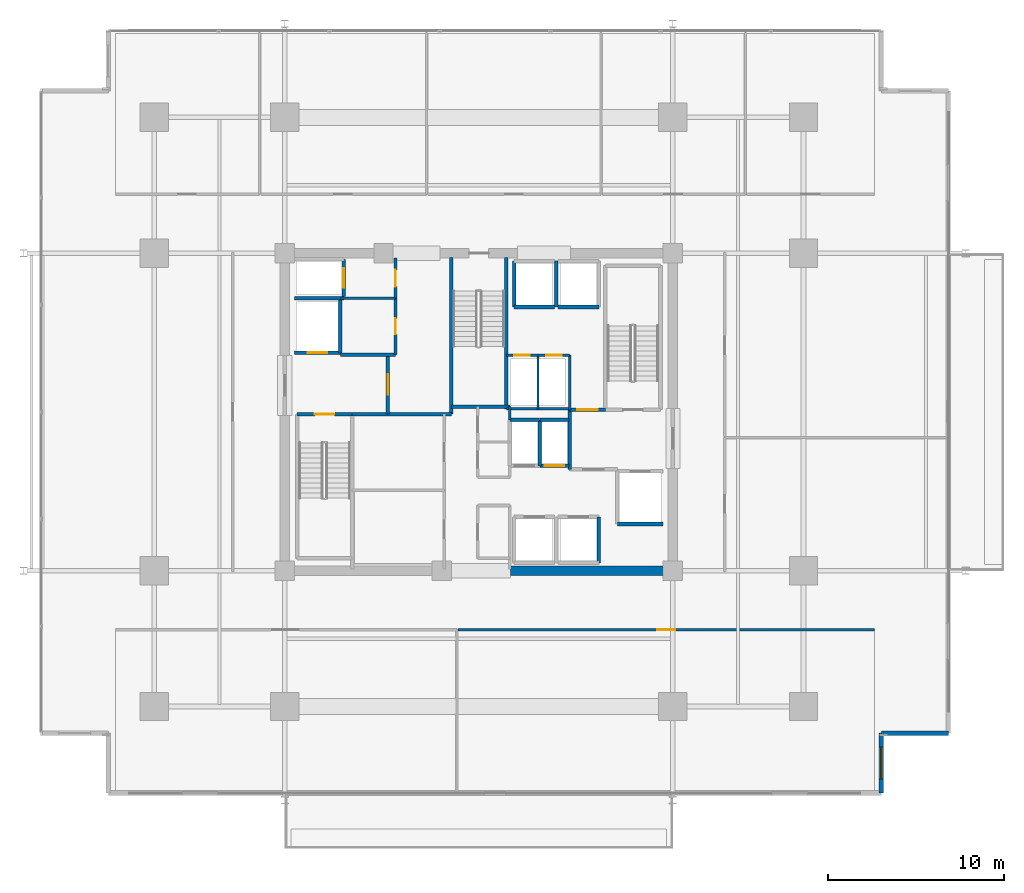
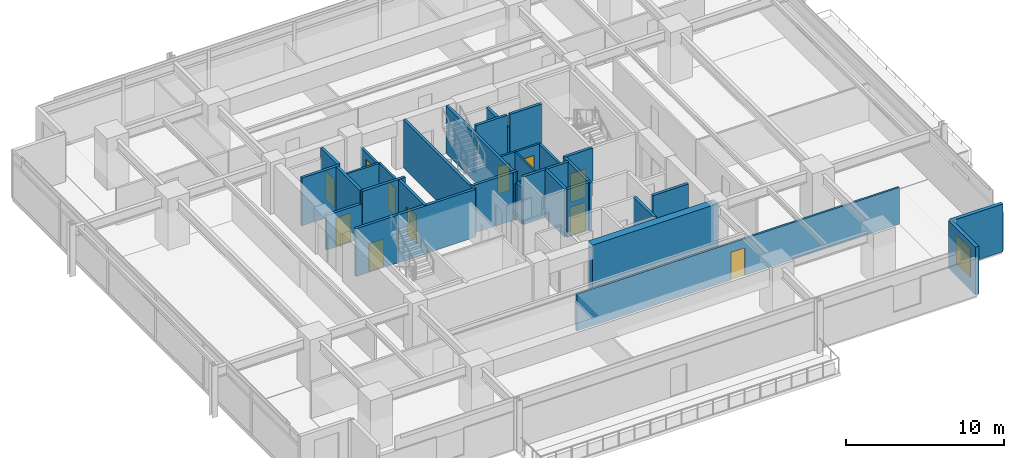
# One storey, part 15 of 22: 36 walls, 11 doors, 1 window, 12 openings.
"""IFC4 building model written with IfcOpenShell, lengths in metres."""

from ifc_helpers import new_model, si_unit, direction, frame, frame_2d, origin, place, context, subcontext, project, spatial, rectangle, extrude, material, layer, layer_set, type_object, element, fill, save


model = new_model("IFC4")

# Units and contexts
model_context = context("Model", 3, precision=1e-05, world=origin(), true_north=direction((0.0, 1.0)))
body_context = subcontext(model_context, "Body", "Model", "MODEL_VIEW")
ifc_project = project(units=[si_unit("LENGTHUNIT", "METRE"), si_unit("AREAUNIT", "SQUARE_METRE"), si_unit("VOLUMEUNIT", "CUBIC_METRE"), si_unit("PLANEANGLEUNIT", "RADIAN"), si_unit("MASSUNIT", "GRAM", prefix="KILO")], contexts=[model_context])

# Site, building, storey
site_placement = place(None, origin())
site = spatial("IfcSite", under=ifc_project, at=site_placement, CompositionType="ELEMENT")
building_placement = place(site_placement, origin())
building = spatial("IfcBuilding", under=site, at=building_placement, Name="Kovane Verandah Tower", CompositionType="ELEMENT")
storey_placement = place(building_placement, frame((0.0, 0.0, 180.39990234375)))
storey = spatial("IfcBuildingStorey", under=building, at=storey_placement, Name="L42", CompositionType="ELEMENT", Elevation=180.39990234375)

# Walls
ifc_material_1 = material(Name="Fire-Rated Gypsum Stud Partition", Category="gypsum")
ifc_layer_1 = layer(ifc_material_1, 0.14990234375)
ifc_layer_set_1 = layer_set([ifc_layer_1], Name="Fire-Rated Gypsum Stud Partition")
wall_type_1 = type_object("IfcWallType", Name="WL-COR-150", PredefinedType="PARTITIONING", material=ifc_layer_set_1)
wall_1_placement = place(storey_placement, frame((41.760009765625, 27.050048828125, 0.0), z_axis=(0.0, 0.0, 1.0), x_axis=(0.0, 1.0, 0.0)))
element("IfcWall", 1, at=wall_1_placement, inside=storey, type_object=wall_type_1, Name="L42 Central Core Strip Upper East Wall", PredefinedType="PARTITIONING", context=body_context, shape_type="SweptSolid", body=[
    extrude(rectangle(XDim=0.75, YDim=0.14990234375, at=frame_2d((0.375, 0.0))), origin(), (0.0, 0.0, 1.0), 2.85009765625),
])
wall_2_placement = place(storey_placement, frame((32.14990234375, 33.949951171875, 0.0), z_axis=(0.0, 0.0, 1.0), x_axis=(1.0, 0.0, 0.0)))
element("IfcWall", 2, at=wall_2_placement, inside=storey, type_object=wall_type_1, Name="L42 Goods Lift Lobby South Wall", PredefinedType="PARTITIONING", context=body_context, shape_type="SweptSolid", body=[
    extrude(rectangle(XDim=3.130126953125, YDim=0.14990234375, at=frame_2d((1.56494140625, 0.0))), origin(), (0.0, 0.0, 1.0), 2.85009765625),
])

# Wall, opening, door
wall_3_placement = place(storey_placement, frame((35.280029296875, 33.949951171875, 0.0), z_axis=(0.0, 0.0, 1.0), x_axis=(0.0, 1.0, 0.0)))
wall_3 = element("IfcWall", 3, at=wall_3_placement, inside=storey, type_object=wall_type_1, Name="L42 Goods Lift Lobby East Fire Partition", PredefinedType="PARTITIONING", context=body_context, shape_type="SweptSolid", body=[
    extrude(rectangle(XDim=2.27001953125, YDim=0.14990234375, at=frame_2d((1.135009765625, 0.0))), origin(), (0.0, 0.0, 1.0), 2.68017578125),
])
opening_1_placement = place(wall_3_placement, frame((0.659912109375, 0.0, 0.0)))
opening_1 = element("IfcOpeningElement", 4, at=opening_1_placement, cuts=wall_3, Name="Opening DR-L42-008", PredefinedType="OPENING", context=body_context, shape_type="SweptSolid", body=[
    extrude(rectangle(XDim=0.949951171875, YDim=2.14990234375, at=frame_2d((0.47509765625, 1.074951171875))), frame((0.0, 0.074951171875, 0.0), z_axis=(0.0, -1.0, 0.0), x_axis=(1.0, 0.0, 0.0)), (0.0, 0.0, 1.0), 0.14990234375),
])
ifc_material_2 = material(Name="Fire-Rated Steel Refuge and Lobby Door", Category="steel")
door_type_1 = type_object("IfcDoorType", Name="DR-FIRE-950", OperationType="SINGLE_SWING_LEFT", PredefinedType="DOOR", material=ifc_material_2)
door_1_placement = place(opening_1_placement, origin())
door_1 = element("IfcDoor", 5, at=door_1_placement, inside=storey, type_object=door_type_1, Name="L42 Goods Lift Lobby Fire Door", OperationType="SINGLE_SWING_LEFT", OverallHeight=2.14990234375, OverallWidth=0.949951171875, PredefinedType="DOOR", context=body_context, shape_type="SweptSolid", body=[
    extrude(rectangle(XDim=0.949951171875, YDim=2.14990234375, at=frame_2d((0.47509765625, 1.074951171875))), frame((0.0, 0.02490234375, 0.0), z_axis=(0.0, -1.0, 0.0), x_axis=(1.0, 0.0, 0.0)), (0.0, 0.0, 1.0), 0.050048828125),
])
fill(opening_1, door_1)

wall_4_placement = place(storey_placement, frame((35.280029296875, 30.75, 0.0), z_axis=(0.0, 0.0, 1.0), x_axis=(0.0, 1.0, 0.0)))
wall_4 = element("IfcWall", 6, at=wall_4_placement, inside=storey, type_object=wall_type_1, Name="L42 Accessible Unisex Toilet Partition", PredefinedType="PARTITIONING", context=body_context, shape_type="SweptSolid", body=[
    extrude(rectangle(XDim=3.199951171875, YDim=0.14990234375, at=frame_2d((1.60009765625, 0.0))), origin(), (0.0, 0.0, 1.0), 2.85009765625),
])
opening_2_placement = place(wall_4_placement, frame((1.14990234375, 0.0, 0.0)))
opening_2 = element("IfcOpeningElement", 7, at=opening_2_placement, cuts=wall_4, Name="Opening DR-L42-026", PredefinedType="OPENING", context=body_context, shape_type="SweptSolid", body=[
    extrude(rectangle(XDim=0.89990234375, YDim=2.10009765625, at=frame_2d((0.449951171875, 1.050048828125))), frame((0.0, 0.074951171875, 0.0), z_axis=(0.0, -1.0, 0.0), x_axis=(1.0, 0.0, 0.0)), (0.0, 0.0, 1.0), 0.14990234375),
])
ifc_material_3 = material(Name="Moisture-Resistant Laminate Washroom Door", Category="wood")
door_type_2 = type_object("IfcDoorType", Name="DR-WC-900", OperationType="SINGLE_SWING_LEFT", PredefinedType="DOOR", material=ifc_material_3)
door_2_placement = place(opening_2_placement, origin())
door_2 = element("IfcDoor", 8, at=door_2_placement, inside=storey, type_object=door_type_2, Name="L42 Accessible Unisex Toilet Door", OperationType="SINGLE_SWING_RIGHT", OverallHeight=2.10009765625, OverallWidth=0.89990234375, PredefinedType="DOOR", context=body_context, shape_type="SweptSolid", body=[
    extrude(rectangle(XDim=0.89990234375, YDim=2.10009765625, at=frame_2d((0.449951171875, 1.050048828125))), frame((0.0, 0.02490234375, 0.0), z_axis=(0.0, -1.0, 0.0), x_axis=(1.0, 0.0, 0.0)), (0.0, 0.0, 1.0), 0.050048828125),
])
fill(opening_2, door_2)

# Walls
wall_5_placement = place(storey_placement, frame((41.56005859375, 27.679931640625, 0.0), z_axis=(0.0, 0.0, 1.0), x_axis=(1.0, 0.0, 0.0)))
element("IfcWall", 9, at=wall_5_placement, inside=storey, type_object=wall_type_1, Name="L42 East Core Service Riser South Wall", PredefinedType="PARTITIONING", context=body_context, shape_type="SweptSolid", body=[
    extrude(rectangle(XDim=3.58984375, YDim=0.14990234375, at=frame_2d((1.794921875, 0.0))), origin(), (0.0, 0.0, 1.0), 2.85009765625),
])
wall_6_placement = place(storey_placement, frame((45.14990234375, 27.6201171875, 0.0), z_axis=(0.0, 0.0, 1.0), x_axis=(0.0, 1.0, 0.0)))
element("IfcWall", 10, at=wall_6_placement, inside=storey, type_object=wall_type_1, Name="L42 East Core Service Riser East Wall", PredefinedType="PARTITIONING", context=body_context, shape_type="SweptSolid", body=[
    extrude(rectangle(XDim=3.099853515625, YDim=0.14990234375, at=frame_2d((1.5498046875, 0.0))), origin(), (0.0, 0.0, 1.0), 2.85009765625),
])

# Wall, opening, door
wall_7_placement = place(storey_placement, frame((41.56005859375, 30.719970703125, 0.0), z_axis=(0.0, 0.0, 1.0), x_axis=(1.0, 0.0, 0.0)))
wall_7 = element("IfcWall", 11, at=wall_7_placement, inside=storey, type_object=wall_type_1, Name="L42 Chilled Water Riser Room Partition", PredefinedType="PARTITIONING", context=body_context, shape_type="SweptSolid", body=[
    extrude(rectangle(XDim=1.800048828125, YDim=0.14990234375, at=frame_2d((0.89990234375, 0.0))), origin(), (0.0, 0.0, 1.0), 2.85009765625),
])
opening_3_placement = place(wall_7_placement, frame((0.4599609375, 0.0, 0.0)))
opening_3 = element("IfcOpeningElement", 12, at=opening_3_placement, cuts=wall_7, Name="Opening DR-L42-016", PredefinedType="OPENING", context=body_context, shape_type="SweptSolid", body=[
    extrude(rectangle(XDim=0.8798828125, YDim=2.10009765625, at=frame_2d((0.43994140625, 1.050048828125))), frame((0.0, 0.074951171875, 0.0), z_axis=(0.0, -1.0, 0.0), x_axis=(1.0, 0.0, 0.0)), (0.0, 0.0, 1.0), 0.14990234375),
])
ifc_material_4 = material(Name="Fire-Rated Steel Riser Access Door", Category="steel")
door_type_3 = type_object("IfcDoorType", Name="DR-RISER-880", OperationType="SINGLE_SWING_LEFT", PredefinedType="DOOR", material=ifc_material_4)
door_3_placement = place(opening_3_placement, origin())
door_3 = element("IfcDoor", 13, at=door_3_placement, inside=storey, type_object=door_type_3, Name="L42 Chilled Water Riser Room Door", OperationType="SINGLE_SWING_LEFT", OverallHeight=2.10009765625, OverallWidth=0.8798828125, PredefinedType="DOOR", context=body_context, shape_type="SweptSolid", body=[
    extrude(rectangle(XDim=0.8798828125, YDim=2.10009765625, at=frame_2d((0.43994140625, 1.050048828125))), frame((0.0, 0.02490234375, 0.0), z_axis=(0.0, -1.0, 0.0), x_axis=(1.0, 0.0, 0.0)), (0.0, 0.0, 1.0), 0.050048828125),
])
fill(opening_3, door_3)

wall_8_placement = place(storey_placement, frame((43.360107421875, 30.719970703125, 0.0), z_axis=(0.0, 0.0, 1.0), x_axis=(1.0, 0.0, 0.0)))
wall_8 = element("IfcWall", 14, at=wall_8_placement, inside=storey, type_object=wall_type_1, Name="L42 Smoke Extract Duct Room Partition", PredefinedType="PARTITIONING", context=body_context, shape_type="SweptSolid", body=[
    extrude(rectangle(XDim=1.789794921875, YDim=0.14990234375, at=frame_2d((0.89501953125, 0.0))), origin(), (0.0, 0.0, 1.0), 2.85009765625),
])
opening_4_placement = place(wall_8_placement, frame((0.455078125, 0.0, 0.0)))
opening_4 = element("IfcOpeningElement", 15, at=opening_4_placement, cuts=wall_8, Name="Opening DR-L42-017", PredefinedType="OPENING", context=body_context, shape_type="SweptSolid", body=[
    extrude(rectangle(XDim=0.8798828125, YDim=2.10009765625, at=frame_2d((0.43994140625, 1.050048828125))), frame((0.0, 0.074951171875, 0.0), z_axis=(0.0, -1.0, 0.0), x_axis=(1.0, 0.0, 0.0)), (0.0, 0.0, 1.0), 0.14990234375),
])
door_4_placement = place(opening_4_placement, origin())
door_4 = element("IfcDoor", 16, at=door_4_placement, inside=storey, type_object=door_type_3, Name="L42 Smoke Extract Duct Room Door", OperationType="SINGLE_SWING_RIGHT", OverallHeight=2.10009765625, OverallWidth=0.8798828125, PredefinedType="DOOR", context=body_context, shape_type="SweptSolid", body=[
    extrude(rectangle(XDim=0.8798828125, YDim=2.10009765625, at=frame_2d((0.43994140625, 1.050048828125))), frame((0.0, 0.02490234375, 0.0), z_axis=(0.0, -1.0, 0.0), x_axis=(1.0, 0.0, 0.0)), (0.0, 0.0, 1.0), 0.050048828125),
])
fill(opening_4, door_4)

wall_9_placement = place(storey_placement, frame((38.8291015625, 15.14990234375, 0.0), z_axis=(0.0, 0.0, 1.0), x_axis=(1.0, 0.0, 0.0)))
wall_9 = element("IfcWall", 17, at=wall_9_placement, inside=storey, type_object=wall_type_1, Name="L42 Meeting Room S2 Corridor Partition", PredefinedType="PARTITIONING", context=body_context, shape_type="SweptSolid", body=[
    extrude(rectangle(XDim=23.5908203125, YDim=0.14990234375, at=frame_2d((11.79541015625, 0.0))), origin(), (0.0, 0.0, 1.0), 2.85009765625),
])
opening_5_placement = place(wall_9_placement, frame((11.29541015625, 0.0, 0.0)))
opening_5 = element("IfcOpeningElement", 18, at=opening_5_placement, cuts=wall_9, Name="Opening DR-L42-024", PredefinedType="OPENING", context=body_context, shape_type="SweptSolid", body=[
    extrude(rectangle(XDim=1.0, YDim=2.14990234375, at=frame_2d((0.5, 1.074951171875))), frame((0.0, 0.074951171875, 0.0), z_axis=(0.0, -1.0, 0.0), x_axis=(1.0, 0.0, 0.0)), (0.0, 0.0, 1.0), 0.14990234375),
])
ifc_material_5 = material(Name="FSC Spotted-Gum Timber Fire-Rated Office Door", Category="wood")
door_type_4 = type_object("IfcDoorType", Name="DR-OFF-1000", OperationType="SINGLE_SWING_LEFT", PredefinedType="DOOR", material=ifc_material_5)
door_5_placement = place(opening_5_placement, origin())
door_5 = element("IfcDoor", 19, at=door_5_placement, inside=storey, type_object=door_type_4, Name="L42 Meeting Room S2 Entrance Door", OperationType="SINGLE_SWING_LEFT", OverallHeight=2.14990234375, OverallWidth=1.0, PredefinedType="DOOR", context=body_context, shape_type="SweptSolid", body=[
    extrude(rectangle(XDim=1.0, YDim=2.14990234375, at=frame_2d((0.5, 1.074951171875))), frame((0.0, 0.02490234375, 0.0), z_axis=(0.0, -1.0, 0.0), x_axis=(1.0, 0.0, 0.0)), (0.0, 0.0, 1.0), 0.050048828125),
])
fill(opening_5, door_5)

# Wall
ifc_material_6 = material(Name="Concrete C60/75", Category="concrete")
ifc_layer_2 = layer(ifc_material_6, 0.550048828125)
ifc_layer_set_2 = layer_set([ifc_layer_2], Name="Concrete C60/75")
wall_type_2 = type_object("IfcWallType", Name="WL-CORE-550", PredefinedType="SHEAR", material=ifc_layer_set_2)
wall_10_placement = place(storey_placement, frame((41.800048828125, 18.5, 0.0), z_axis=(0.0, 0.0, 1.0), x_axis=(1.0, 0.0, 0.0)))
element("IfcWall", 20, at=wall_10_placement, inside=storey, type_object=wall_type_2, Name="L42 Core Shear Wall CS-2", PredefinedType="SHEAR", context=body_context, shape_type="SweptSolid", body=[
    extrude(rectangle(XDim=9.199951171875, YDim=0.550048828125, at=frame_2d((4.60009765625, 0.0))), origin(), (0.0, 0.0, 1.0), 3.7001953125),
])

# Wall, opening, door
ifc_material_7 = material(Name="Concrete C45/55 Fire Wall", Category="concrete")
ifc_layer_3 = layer(ifc_material_7, 0.199951171875)
ifc_layer_set_3 = layer_set([ifc_layer_3], Name="Concrete C45/55 Fire Wall")
wall_type_3 = type_object("IfcWallType", Name="WL-FFL-200", PredefinedType="PARTITIONING", material=ifc_layer_set_3)
wall_11_placement = place(storey_placement, frame((34.85009765625, 27.3798828125, 0.0), z_axis=(0.0, 0.0, 1.0), x_axis=(0.0, 1.0, 0.0)))
wall_11 = element("IfcWall", 21, at=wall_11_placement, inside=storey, type_object=wall_type_3, Name="W-L42-FFLW-E", PredefinedType="PARTITIONING", context=body_context, shape_type="SweptSolid", body=[
    extrude(rectangle(XDim=3.3701171875, YDim=0.199951171875, at=frame_2d((1.68505859375, 0.0))), origin(), (0.0, 0.0, 1.0), 3.7001953125),
])
opening_6_placement = place(wall_11_placement, frame((1.110107421875, 0.0, 0.0)))
opening_6 = element("IfcOpeningElement", 22, at=opening_6_placement, cuts=wall_11, Name="Opening DR-L42-006", PredefinedType="OPENING", context=body_context, shape_type="SweptSolid", body=[
    extrude(rectangle(XDim=1.14990234375, YDim=2.199951171875, at=frame_2d((0.574951171875, 1.10009765625))), frame((0.0, 0.10009765625, 0.0), z_axis=(0.0, -1.0, 0.0), x_axis=(1.0, 0.0, 0.0)), (0.0, 0.0, 1.0), 0.199951171875),
])
ifc_material_8 = material(Name="Smoke-Sealed Firefighting Lobby Door", Category="steel")
door_type_5 = type_object("IfcDoorType", Name="DR-FFL-1150", OperationType="SINGLE_SWING_LEFT", PredefinedType="DOOR", material=ifc_material_8)
door_6_placement = place(opening_6_placement, origin())
door_6 = element("IfcDoor", 23, at=door_6_placement, inside=storey, type_object=door_type_5, Name="L42 West Firefighting Lobby Inner Door", OperationType="SINGLE_SWING_LEFT", OverallHeight=2.199951171875, OverallWidth=1.14990234375, PredefinedType="DOOR", context=body_context, shape_type="SweptSolid", body=[
    extrude(rectangle(XDim=1.14990234375, YDim=2.199951171875, at=frame_2d((0.574951171875, 1.10009765625))), frame((0.0, 0.02490234375, 0.0), z_axis=(0.0, -1.0, 0.0), x_axis=(1.0, 0.0, 0.0)), (0.0, 0.0, 1.0), 0.050048828125),
])
fill(opening_6, door_6)

# Walls
wall_12_placement = place(storey_placement, frame((32.820068359375, 27.3798828125, 0.0), z_axis=(0.0, 0.0, 1.0), x_axis=(1.0, 0.0, 0.0)))
element("IfcWall", 24, at=wall_12_placement, inside=storey, type_object=wall_type_3, Name="L42 West Firefighting Lobby South Fire Wall", PredefinedType="PARTITIONING", context=body_context, shape_type="SweptSolid", body=[
    extrude(rectangle(XDim=5.619873046875, YDim=0.199951171875, at=frame_2d((2.81005859375, 0.0))), origin(), (0.0, 0.0, 1.0), 3.7001953125),
])
wall_13_placement = place(storey_placement, frame((32.14990234375, 30.75, 0.0), z_axis=(0.0, 0.0, 1.0), x_axis=(1.0, 0.0, 0.0)))
element("IfcWall", 25, at=wall_13_placement, inside=storey, type_object=wall_type_3, Name="L42 West Firefighting Lobby North Fire Wall", PredefinedType="PARTITIONING", context=body_context, shape_type="SweptSolid", body=[
    extrude(rectangle(XDim=3.130126953125, YDim=0.199951171875, at=frame_2d((1.56494140625, 0.0))), origin(), (0.0, 0.0, 1.0), 3.7001953125),
])
wall_14_placement = place(storey_placement, frame((45.14990234375, 24.25, 0.0), z_axis=(0.0, 0.0, 1.0), x_axis=(0.0, 1.0, 0.0)))
element("IfcWall", 26, at=wall_14_placement, inside=storey, type_object=wall_type_3, Name="L42 East Firefighting Lobby West Fire Wall", PredefinedType="PARTITIONING", context=body_context, shape_type="SweptSolid", body=[
    extrude(rectangle(XDim=3.3701171875, YDim=0.199951171875, at=frame_2d((1.68505859375, 0.0))), origin(), (0.0, 0.0, 1.0), 3.7001953125),
])

# Wall, opening, door
wall_15_placement = place(storey_placement, frame((45.14990234375, 27.6201171875, 0.0), z_axis=(0.0, 0.0, 1.0), x_axis=(1.0, 0.0, 0.0)))
wall_15 = element("IfcWall", 27, at=wall_15_placement, inside=storey, type_object=wall_type_3, Name="W-L42-FFLE-N", PredefinedType="PARTITIONING", context=body_context, shape_type="SweptSolid", body=[
    extrude(rectangle(XDim=2.030029296875, YDim=0.199951171875, at=frame_2d((1.01513671875, 0.0))), origin(), (0.0, 0.0, 1.0), 3.7001953125),
])
opening_7_placement = place(wall_15_placement, frame((0.43994140625, 0.0, 0.0)))
opening_7 = element("IfcOpeningElement", 28, at=opening_7_placement, cuts=wall_15, Name="Opening DR-L42-004", PredefinedType="OPENING", context=body_context, shape_type="SweptSolid", body=[
    extrude(rectangle(XDim=1.14990234375, YDim=2.199951171875, at=frame_2d((0.574951171875, 1.10009765625))), frame((0.0, 0.10009765625, 0.0), z_axis=(0.0, -1.0, 0.0), x_axis=(1.0, 0.0, 0.0)), (0.0, 0.0, 1.0), 0.199951171875),
])
door_7_placement = place(opening_7_placement, origin())
door_7 = element("IfcDoor", 29, at=door_7_placement, inside=storey, type_object=door_type_5, Name="L42 East Firefighting Lobby Shuttle Link Door", OperationType="SINGLE_SWING_LEFT", OverallHeight=2.199951171875, OverallWidth=1.14990234375, PredefinedType="DOOR", context=body_context, shape_type="SweptSolid", body=[
    extrude(rectangle(XDim=1.14990234375, YDim=2.199951171875, at=frame_2d((0.574951171875, 1.10009765625))), frame((0.0, 0.02490234375, 0.0), z_axis=(0.0, -1.0, 0.0), x_axis=(1.0, 0.0, 0.0)), (0.0, 0.0, 1.0), 0.050048828125),
])
fill(opening_7, door_7)

ifc_material_9 = material(Name="Concrete C45/55 Lift Shaft Wall", Category="concrete")
ifc_layer_4 = layer(ifc_material_9, 0.199951171875)
ifc_layer_set_4 = layer_set([ifc_layer_4], Name="Concrete C45/55 Lift Shaft Wall")
wall_type_4 = type_object("IfcWallType", Name="WL-LIFT-200", PredefinedType="SOLIDWALL", material=ifc_layer_set_4)
wall_16_placement = place(storey_placement, frame((29.550048828125, 30.85009765625, 0.0), z_axis=(0.0, 0.0, 1.0), x_axis=(1.0, 0.0, 0.0)))
wall_16 = element("IfcWall", 30, at=wall_16_placement, inside=storey, type_object=wall_type_4, Name="L42 Lift FL-01 S Shaft Wall", PredefinedType="SOLIDWALL", context=body_context, shape_type="SweptSolid", body=[
    extrude(rectangle(XDim=2.599853515625, YDim=0.199951171875, at=frame_2d((1.2998046875, 0.0))), origin(), (0.0, 0.0, 1.0), 2.68017578125),
])
opening_8_placement = place(wall_16_placement, frame((0.75, 0.0, 0.0)))
opening_8 = element("IfcOpeningElement", 31, at=opening_8_placement, cuts=wall_16, Name="Opening LD-L42-001", PredefinedType="OPENING", context=body_context, shape_type="SweptSolid", body=[
    extrude(rectangle(XDim=1.10009765625, YDim=2.199951171875, at=frame_2d((0.550048828125, 1.10009765625))), frame((0.0, 0.10009765625, 0.0), z_axis=(0.0, -1.0, 0.0), x_axis=(1.0, 0.0, 0.0)), (0.0, 0.0, 1.0), 0.199951171875),
])
ifc_material_10 = material(Name="Brushed Stainless Steel Sliding Lift Landing Door", Category="steel")
door_type_6 = type_object("IfcDoorType", Name="DR-LIFT-1100", OperationType="SLIDING_TO_RIGHT", PredefinedType="DOOR", material=ifc_material_10)
door_8_placement = place(opening_8_placement, origin())
door_8 = element("IfcDoor", 32, at=door_8_placement, inside=storey, type_object=door_type_6, Name="L42 Lift FL-01 Sliding Landing Door", OperationType="SLIDING_TO_RIGHT", OverallHeight=2.199951171875, OverallWidth=1.10009765625, PredefinedType="DOOR", context=body_context, shape_type="SweptSolid", body=[
    extrude(rectangle(XDim=1.10009765625, YDim=2.199951171875, at=frame_2d((0.550048828125, 1.10009765625))), frame((0.0, 0.02490234375, 0.0), z_axis=(0.0, -1.0, 0.0), x_axis=(1.0, 0.0, 0.0)), (0.0, 0.0, 1.0), 0.050048828125),
])
fill(opening_8, door_8)

# Walls
wall_17_placement = place(storey_placement, frame((29.550048828125, 33.949951171875, 0.0), z_axis=(0.0, 0.0, 1.0), x_axis=(1.0, 0.0, 0.0)))
element("IfcWall", 33, at=wall_17_placement, inside=storey, type_object=wall_type_4, Name="L42 Lift FL-01 and GL-01 Shared Shaft Wall", PredefinedType="SOLIDWALL", context=body_context, shape_type="SweptSolid", body=[
    extrude(rectangle(XDim=2.800048828125, YDim=0.199951171875, at=frame_2d((1.39990234375, 0.0))), origin(), (0.0, 0.0, 1.0), 3.7001953125),
])
wall_18_placement = place(storey_placement, frame((32.14990234375, 30.85009765625, 0.0), z_axis=(0.0, 0.0, 1.0), x_axis=(0.0, 1.0, 0.0)))
element("IfcWall", 34, at=wall_18_placement, inside=storey, type_object=wall_type_4, Name="L42 Lift FL-01 E Shaft Wall", PredefinedType="SOLIDWALL", context=body_context, shape_type="SweptSolid", body=[
    extrude(rectangle(XDim=3.0, YDim=0.199951171875, at=frame_2d((1.5, 0.0))), origin(), (0.0, 0.0, 1.0), 3.7001953125),
])
wall_19_placement = place(storey_placement, frame((47.85009765625, 21.14990234375, 0.0), z_axis=(0.0, 0.0, 1.0), x_axis=(1.0, 0.0, 0.0)))
element("IfcWall", 35, at=wall_19_placement, inside=storey, type_object=wall_type_4, Name="L42 Lift FL-02 S Shaft Wall", PredefinedType="SOLIDWALL", context=body_context, shape_type="SweptSolid", body=[
    extrude(rectangle(XDim=2.599853515625, YDim=0.199951171875, at=frame_2d((1.2998046875, 0.0))), origin(), (0.0, 0.0, 1.0), 3.7001953125),
])

# Wall, opening, door
wall_20_placement = place(storey_placement, frame((32.35009765625, 34.050048828125, 0.0), z_axis=(0.0, 0.0, 1.0), x_axis=(0.0, 1.0, 0.0)))
wall_20 = element("IfcWall", 36, at=wall_20_placement, inside=storey, type_object=wall_type_4, Name="L42 Lift GL-01 E Shaft Wall", PredefinedType="SOLIDWALL", context=body_context, shape_type="SweptSolid", body=[
    extrude(rectangle(XDim=2.099853515625, YDim=0.199951171875, at=frame_2d((1.0498046875, 0.0))), origin(), (0.0, 0.0, 1.0), 3.7001953125),
])
opening_9_placement = place(wall_20_placement, frame((0.5, 0.0, 0.0)))
opening_9 = element("IfcOpeningElement", 37, at=opening_9_placement, cuts=wall_20, Name="Opening LD-L42-003", PredefinedType="OPENING", context=body_context, shape_type="SweptSolid", body=[
    extrude(rectangle(XDim=1.10009765625, YDim=2.199951171875, at=frame_2d((0.550048828125, 1.10009765625))), frame((0.0, 0.10009765625, 0.0), z_axis=(0.0, -1.0, 0.0), x_axis=(1.0, 0.0, 0.0)), (0.0, 0.0, 1.0), 0.199951171875),
])
door_9_placement = place(opening_9_placement, origin())
door_9 = element("IfcDoor", 38, at=door_9_placement, inside=storey, type_object=door_type_6, Name="L42 Lift GL-01 Sliding Landing Door", OperationType="SLIDING_TO_RIGHT", OverallHeight=2.199951171875, OverallWidth=1.10009765625, PredefinedType="DOOR", context=body_context, shape_type="SweptSolid", body=[
    extrude(rectangle(XDim=1.10009765625, YDim=2.199951171875, at=frame_2d((0.550048828125, 1.10009765625))), frame((0.0, 0.02490234375, 0.0), z_axis=(0.0, -1.0, 0.0), x_axis=(1.0, 0.0, 0.0)), (0.0, 0.0, 1.0), 0.050048828125),
])
fill(opening_9, door_9)

# Walls
wall_21_placement = place(storey_placement, frame((46.800048828125, 18.949951171875, 0.0), z_axis=(0.0, 0.0, 1.0), x_axis=(0.0, 1.0, 0.0)))
element("IfcWall", 39, at=wall_21_placement, inside=storey, type_object=wall_type_4, Name="L42 Lift PL-M2 E Shaft Wall", PredefinedType="SOLIDWALL", context=body_context, shape_type="SweptSolid", body=[
    extrude(rectangle(XDim=2.60009765625, YDim=0.199951171875, at=frame_2d((1.300048828125, 0.0))), origin(), (0.0, 0.0, 1.0), 3.7001953125),
])
wall_22_placement = place(storey_placement, frame((43.43994140625, 27.050048828125, 0.0), z_axis=(0.0, 0.0, 1.0), x_axis=(-1.0, 0.0, 0.0)))
element("IfcWall", 40, at=wall_22_placement, inside=storey, type_object=wall_type_4, Name="L42 Lift PL-M3 N Shaft Wall", PredefinedType="SOLIDWALL", context=body_context, shape_type="SweptSolid", body=[
    extrude(rectangle(XDim=1.679931640625, YDim=0.199951171875, at=frame_2d((0.83984375, 0.0))), origin(), (0.0, 0.0, 1.0), 3.7001953125),
])
wall_23_placement = place(storey_placement, frame((43.449951171875, 24.449951171875, 0.0), z_axis=(0.0, 0.0, 1.0), x_axis=(0.0, 1.0, 0.0)))
element("IfcWall", 41, at=wall_23_placement, inside=storey, type_object=wall_type_4, Name="L42 Lift PL-M3 and PL-M4 Shared Shaft Wall", PredefinedType="SOLIDWALL", context=body_context, shape_type="SweptSolid", body=[
    extrude(rectangle(XDim=2.60009765625, YDim=0.199951171875, at=frame_2d((1.300048828125, 0.0))), origin(), (0.0, 0.0, 1.0), 3.7001953125),
])

# Wall, opening, door
wall_24_placement = place(storey_placement, frame((43.4599609375, 24.449951171875, 0.0), z_axis=(0.0, 0.0, 1.0), x_axis=(1.0, 0.0, 0.0)))
wall_24 = element("IfcWall", 42, at=wall_24_placement, inside=storey, type_object=wall_type_4, Name="L42 Lift PL-M4 S Shaft Wall", PredefinedType="SOLIDWALL", context=body_context, shape_type="SweptSolid", body=[
    extrude(rectangle(XDim=1.66015625, YDim=0.199951171875, at=frame_2d((0.830078125, 0.0))), origin(), (0.0, 0.0, 1.0), 3.7001953125),
])
opening_10_placement = place(wall_24_placement, frame((0.280029296875, 0.0, 0.0)))
opening_10 = element("IfcOpeningElement", 43, at=opening_10_placement, cuts=wall_24, Name="Opening LD-L42-007", PredefinedType="OPENING", context=body_context, shape_type="SweptSolid", body=[
    extrude(rectangle(XDim=1.10009765625, YDim=2.199951171875, at=frame_2d((0.550048828125, 1.10009765625))), frame((0.0, 0.10009765625, 0.0), z_axis=(0.0, -1.0, 0.0), x_axis=(1.0, 0.0, 0.0)), (0.0, 0.0, 1.0), 0.199951171875),
])
door_10_placement = place(opening_10_placement, origin())
door_10 = element("IfcDoor", 44, at=door_10_placement, inside=storey, type_object=door_type_6, Name="L42 Lift PL-M4 Sliding Landing Door", OperationType="SLIDING_TO_RIGHT", OverallHeight=2.199951171875, OverallWidth=1.10009765625, PredefinedType="DOOR", context=body_context, shape_type="SweptSolid", body=[
    extrude(rectangle(XDim=1.10009765625, YDim=2.199951171875, at=frame_2d((0.550048828125, 1.10009765625))), frame((0.0, 0.02490234375, 0.0), z_axis=(0.0, -1.0, 0.0), x_axis=(1.0, 0.0, 0.0)), (0.0, 0.0, 1.0), 0.050048828125),
])
fill(opening_10, door_10)

# Walls
wall_25_placement = place(storey_placement, frame((45.1201171875, 27.050048828125, 0.0), z_axis=(0.0, 0.0, 1.0), x_axis=(-1.0, 0.0, 0.0)))
element("IfcWall", 45, at=wall_25_placement, inside=storey, type_object=wall_type_4, Name="L42 Lift PL-M4 N Shaft Wall", PredefinedType="SOLIDWALL", context=body_context, shape_type="SweptSolid", body=[
    extrude(rectangle(XDim=1.66015625, YDim=0.199951171875, at=frame_2d((0.830078125, 0.0))), origin(), (0.0, 0.0, 1.0), 3.7001953125),
])
wall_26_placement = place(storey_placement, frame((42.0, 33.449951171875, 0.0), z_axis=(0.0, 0.0, 1.0), x_axis=(1.0, 0.0, 0.0)))
element("IfcWall", 46, at=wall_26_placement, inside=storey, type_object=wall_type_4, Name="L42 Lift SL-01 S Shaft Wall", PredefinedType="SOLIDWALL", context=body_context, shape_type="SweptSolid", body=[
    extrude(rectangle(XDim=2.300048828125, YDim=0.199951171875, at=frame_2d((1.14990234375, 0.0))), origin(), (0.0, 0.0, 1.0), 3.7001953125),
])
for number, where, z_axis, x_axis, name in (
    (47, (42.0, 36.050048828125, 0.0), (0.0, 0.0, 1.0), (0.0, -1.0, 0.0), "L42 Lift SL-01 W Shaft Wall"),
    (48, (44.39990234375, 33.449951171875, 0.0), (0.0, 0.0, 1.0), (0.0, 1.0, 0.0), "L42 Lift OL-01 and SL-01 Shared Shaft Wall"),
):
    element("IfcWall", number, at=place(storey_placement, frame(where, z_axis=z_axis, x_axis=x_axis)), inside=storey, type_object=wall_type_4, Name=name, PredefinedType="SOLIDWALL", context=body_context, shape_type="SweptSolid", body=[
        extrude(rectangle(XDim=2.60009765625, YDim=0.199951171875, at=frame_2d((1.300048828125, 0.0))), origin(), (0.0, 0.0, 1.0), 2.68017578125),
    ])
wall_27_placement = place(storey_placement, frame((44.5, 33.449951171875, 0.0), z_axis=(0.0, 0.0, 1.0), x_axis=(1.0, 0.0, 0.0)))
element("IfcWall", 49, at=wall_27_placement, inside=storey, type_object=wall_type_4, Name="L42 Lift OL-01 S Shaft Wall", PredefinedType="SOLIDWALL", context=body_context, shape_type="SweptSolid", body=[
    extrude(rectangle(XDim=2.300048828125, YDim=0.199951171875, at=frame_2d((1.14990234375, 0.0))), origin(), (0.0, 0.0, 1.0), 3.7001953125),
])
ifc_material_11 = material(Name="Acoustic Fire-Rated Gypsum Partition", Category="gypsum")
ifc_layer_5 = layer(ifc_material_11, 0.1201171875)
ifc_layer_set_5 = layer_set([ifc_layer_5], Name="Acoustic Fire-Rated Gypsum Partition")
wall_type_5 = type_object("IfcWallType", Name="WL-PART-120", PredefinedType="PARTITIONING", material=ifc_layer_set_5)
wall_28_placement = place(storey_placement, frame((43.360107421875, 27.679931640625, 0.0), z_axis=(0.0, 0.0, 1.0), x_axis=(0.0, 1.0, 0.0)))
element("IfcWall", 50, at=wall_28_placement, inside=storey, type_object=wall_type_5, Name="L42 Service Riser Dividing Partition", PredefinedType="PARTITIONING", context=body_context, shape_type="SweptSolid", body=[
    extrude(rectangle(XDim=3.0400390625, YDim=0.1201171875, at=frame_2d((1.52001953125, 0.0))), origin(), (0.0, 0.0, 1.0), 2.85009765625),
])

# Wall, opening, door
ifc_material_12 = material(Name="Concrete C45/55", Category="concrete")
ifc_layer_6 = layer(ifc_material_12, 0.199951171875)
ifc_layer_set_6 = layer_set([ifc_layer_6], Name="Concrete C45/55")
wall_type_6 = type_object("IfcWallType", Name="WL-SHAFT-200", PredefinedType="SOLIDWALL", material=ifc_layer_set_6)
wall_29_placement = place(storey_placement, frame((29.699951171875, 27.3798828125, 0.0), z_axis=(0.0, 0.0, 1.0), x_axis=(1.0, 0.0, 0.0)))
wall_29 = element("IfcWall", 51, at=wall_29_placement, inside=storey, type_object=wall_type_6, Name="W-L42-ST01-N", PredefinedType="SOLIDWALL", context=body_context, shape_type="SweptSolid", body=[
    extrude(rectangle(XDim=3.1201171875, YDim=0.199951171875, at=frame_2d((1.56005859375, 0.0))), origin(), (0.0, 0.0, 1.0), 3.7001953125),
])
opening_11_placement = place(wall_29_placement, frame((1.010009765625, 0.0, 0.0)))
opening_11 = element("IfcOpeningElement", 52, at=opening_11_placement, cuts=wall_29, Name="Opening DR-L42-009", PredefinedType="OPENING", context=body_context, shape_type="SweptSolid", body=[
    extrude(rectangle(XDim=1.10009765625, YDim=2.14990234375, at=frame_2d((0.550048828125, 1.074951171875))), frame((0.0, 0.10009765625, 0.0), z_axis=(0.0, -1.0, 0.0), x_axis=(1.0, 0.0, 0.0)), (0.0, 0.0, 1.0), 0.199951171875),
])
ifc_material_13 = material(Name="Fire-Rated Steel Exit Door", Category="steel")
door_type_7 = type_object("IfcDoorType", Name="DR-STAIR-1100", OperationType="SINGLE_SWING_LEFT", PredefinedType="DOOR", material=ifc_material_13)
door_11_placement = place(opening_11_placement, origin())
door_11 = element("IfcDoor", 53, at=door_11_placement, inside=storey, type_object=door_type_7, Name="L42 ST-01 Fire Exit Stair Door", OperationType="SINGLE_SWING_LEFT", OverallHeight=2.14990234375, OverallWidth=1.10009765625, PredefinedType="DOOR", context=body_context, shape_type="SweptSolid", body=[
    extrude(rectangle(XDim=1.10009765625, YDim=2.14990234375, at=frame_2d((0.550048828125, 1.074951171875))), frame((0.0, 0.02490234375, 0.0), z_axis=(0.0, -1.0, 0.0), x_axis=(1.0, 0.0, 0.0)), (0.0, 0.0, 1.0), 0.050048828125),
])
fill(opening_11, door_11)

# Walls
wall_30_placement = place(storey_placement, frame((38.43994140625, 27.3798828125, 0.0), z_axis=(0.0, 0.0, 1.0), x_axis=(0.0, 1.0, 0.0)))
element("IfcWall", 54, at=wall_30_placement, inside=storey, type_object=wall_type_6, Name="W-L42-ST03-W", PredefinedType="SOLIDWALL", context=body_context, shape_type="SweptSolid", body=[
    extrude(rectangle(XDim=8.8701171875, YDim=0.199951171875, at=frame_2d((4.43505859375, 0.0))), origin(), (0.0, 0.0, 1.0), 3.7001953125),
])
wall_31_placement = place(storey_placement, frame((41.56005859375, 27.679931640625, 0.0), z_axis=(0.0, 0.0, 1.0), x_axis=(0.0, 1.0, 0.0)))
element("IfcWall", 55, at=wall_31_placement, inside=storey, type_object=wall_type_6, Name="W-L42-ST03-E", PredefinedType="SOLIDWALL", context=body_context, shape_type="SweptSolid", body=[
    extrude(rectangle(XDim=8.570068359375, YDim=0.199951171875, at=frame_2d((4.28515625, 0.0))), origin(), (0.0, 0.0, 1.0), 3.7001953125),
])
wall_32_placement = place(storey_placement, frame((38.43994140625, 27.800048828125, 0.0), z_axis=(0.0, 0.0, 1.0), x_axis=(1.0, 0.0, 0.0)))
element("IfcWall", 56, at=wall_32_placement, inside=storey, type_object=wall_type_6, Name="W-L42-ST03-S", PredefinedType="SOLIDWALL", context=body_context, shape_type="SweptSolid", body=[
    extrude(rectangle(XDim=3.320068359375, YDim=0.199951171875, at=frame_2d((1.66015625, 0.0))), origin(), (0.0, 0.0, 1.0), 3.7001953125),
])

# Wall, opening, window
ifc_material_14 = material(Name="Concrete C45/55 Insulated Spandrel Wall", Category="concrete")
ifc_layer_7 = layer(ifc_material_14, 0.260009765625)
ifc_layer_set_7 = layer_set([ifc_layer_7], Name="Concrete C45/55 Insulated Spandrel Wall")
wall_type_7 = type_object("IfcWallType", Name="WL-SPANDREL-260", PredefinedType="PARAPET", material=ifc_layer_set_7)
wall_33_placement = place(storey_placement, frame((62.820068359375, 5.89990234375, 0.0), z_axis=(0.0, 0.0, 1.0), x_axis=(0.0, 1.0, 0.0)))
wall_33 = element("IfcWall", 57, at=wall_33_placement, inside=storey, type_object=wall_type_7, Name="L42 SE Notch Cheek Wall 1", PredefinedType="PARAPET", context=body_context, shape_type="SweptSolid", body=[
    extrude(rectangle(XDim=3.400146484375, YDim=0.260009765625, at=frame_2d((1.7001953125, 0.0))), origin(), (0.0, 0.0, 1.0), 3.7001953125),
])
opening_12_placement = place(wall_33_placement, frame((0.800048828125, 0.0, 0.85009765625)))
opening_12 = element("IfcOpeningElement", 58, at=opening_12_placement, cuts=wall_33, Name="Opening W-03", PredefinedType="OPENING", context=body_context, shape_type="SweptSolid", body=[
    extrude(rectangle(XDim=1.800048828125, YDim=2.199951171875, at=frame_2d((0.89990234375, 1.10009765625))), frame((0.0, 0.1298828125, 0.0), z_axis=(0.0, -1.0, 0.0), x_axis=(1.0, 0.0, 0.0)), (0.0, 0.0, 1.0), 0.260009765625),
])
ifc_material_15 = material(Name="Clear Low-E Laminated Double Glazing in Anodised Frame", Category="glass")
window_type = type_object("IfcWindowType", Name="WN-NOTCH-1800x2200", PartitioningType="SINGLE_PANEL", PredefinedType="WINDOW", material=ifc_material_15)
window_placement = place(opening_12_placement, origin())
window = element("IfcWindow", 59, at=window_placement, inside=storey, type_object=window_type, Name="L42 SE Re-Entrant Corner Operable Window", OverallHeight=2.199951171875, OverallWidth=1.800048828125, PartitioningType="SINGLE_PANEL", PredefinedType="WINDOW", context=body_context, shape_type="SweptSolid", body=[
    extrude(rectangle(XDim=1.800048828125, YDim=2.199951171875, at=frame_2d((0.89990234375, 1.10009765625))), frame((0.0, 0.030029296875, 0.0), z_axis=(0.0, -1.0, 0.0), x_axis=(1.0, 0.0, 0.0)), (0.0, 0.0, 1.0), 0.06005859375),
])
fill(opening_12, window)

# Wall
wall_34_placement = place(storey_placement, frame((62.820068359375, 9.300048828125, 0.0), z_axis=(0.0, 0.0, 1.0), x_axis=(1.0, 0.0, 0.0)))
element("IfcWall", 60, at=wall_34_placement, inside=storey, type_object=wall_type_7, Name="L42 SE Notch Cheek Wall 2", PredefinedType="PARAPET", context=body_context, shape_type="SweptSolid", body=[
    extrude(rectangle(XDim=3.800048828125, YDim=0.260009765625, at=frame_2d((1.89990234375, 0.0))), origin(), (0.0, 0.0, 1.0), 3.7001953125),
])

save(model, "model.ifc")
